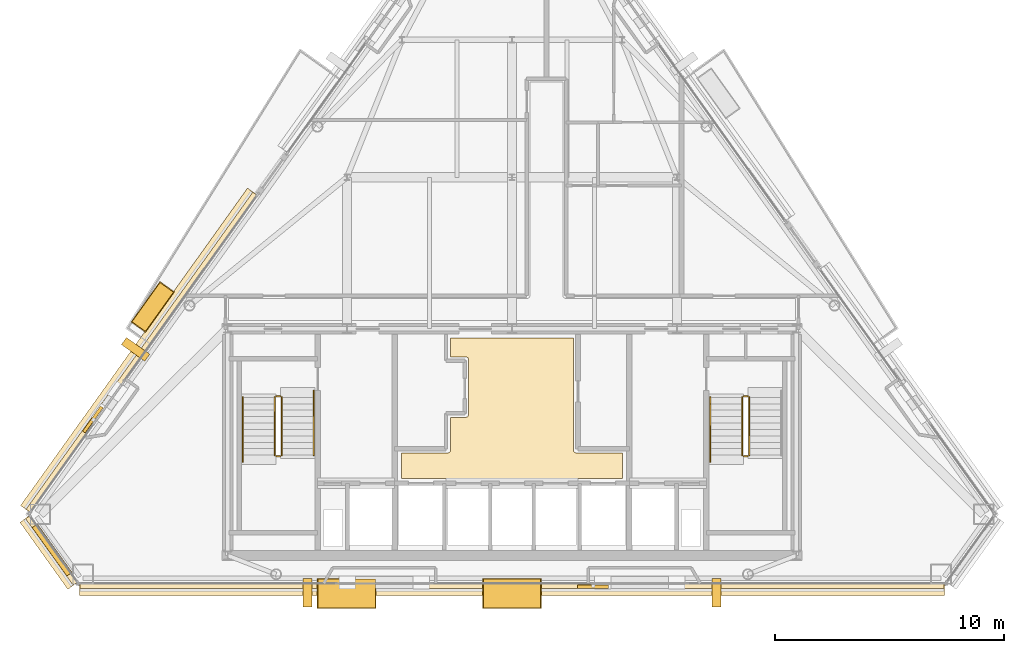
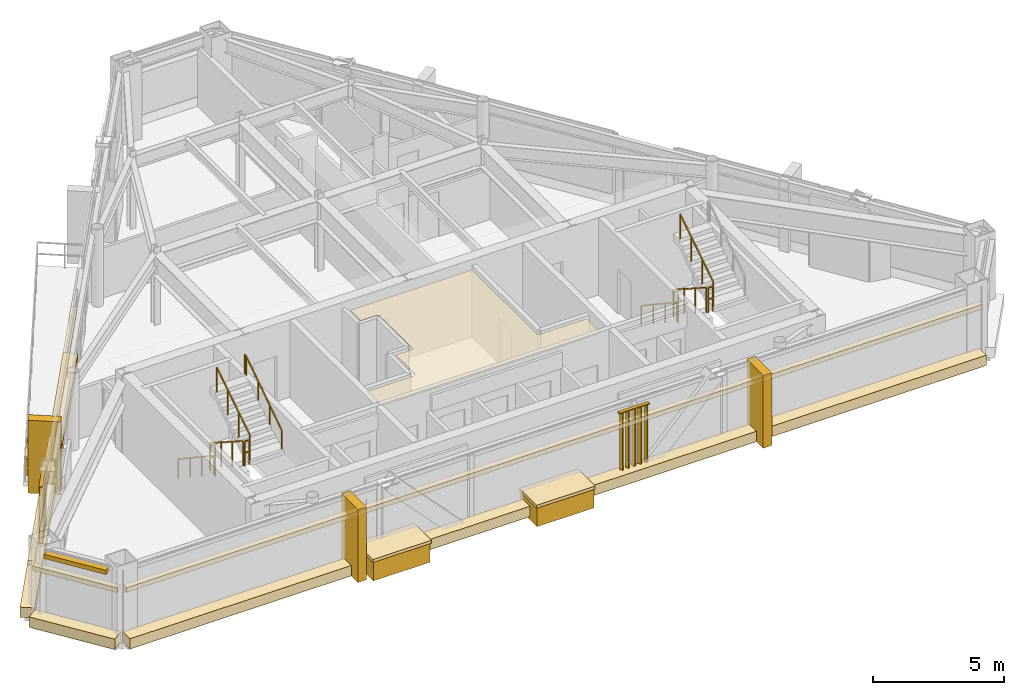
# One storey, part 11 of 12: 16 coverings, 11 railings, 3 shading devices.
"""IFC4 building model written with IfcOpenShell, lengths in metres."""

from ifc_helpers import new_model, si_unit, direction, frame, origin, origin_2d, place, context, subcontext, project, spatial, polyline, rectangle, outline, extrude, source, transform, mapped, material, layer, layer_set, type_object, type_shapes, element, save


model = new_model("IFC4")

# Units and contexts
model_context = context("Model", 3, precision=1e-05, world=origin(), true_north=direction((0.0, 1.0)))
body_context = subcontext(model_context, "Body", "Model", "MODEL_VIEW")
ifc_project = project(units=[si_unit("LENGTHUNIT", "METRE"), si_unit("AREAUNIT", "SQUARE_METRE"), si_unit("VOLUMEUNIT", "CUBIC_METRE"), si_unit("PLANEANGLEUNIT", "RADIAN"), si_unit("MASSUNIT", "GRAM", prefix="KILO")], contexts=[model_context])

# Site, building, storey
site_placement = place(None, origin())
site = spatial("IfcSite", under=ifc_project, at=site_placement, CompositionType="ELEMENT")
building_placement = place(site_placement, origin())
building = spatial("IfcBuilding", under=site, at=building_placement, Name="Talgorran Terracotta Tower", CompositionType="ELEMENT")
storey_placement = place(building_placement, frame((0.0, 0.0, 267.0)))
storey = spatial("IfcBuildingStorey", under=building, at=storey_placement, Name="L70", CompositionType="ELEMENT", Elevation=267.0)

# Coverings
ifc_material_1 = material(Name="Kiln-Fired Terracotta Ochre Ceramic", Category="masonry")
ifc_layer_1 = layer(ifc_material_1, 0.179931640625, Name="COV_BAGUETTE_TERRACOTTA_SCREEN")
ifc_layer_set_1 = layer_set([ifc_layer_1], Name="Kiln-Fired Terracotta Ochre Ceramic")
covering_type_1 = type_object("IfcCoveringType", Name="COV_BAGUETTE_TERRACOTTA_SCREEN", PredefinedType="CLADDING", material=ifc_layer_set_1)
covering_1_placement = place(storey_placement, frame((-20.07958984375, -13.869384765625, 2.41015625), z_axis=(0.0, 0.0, 1.0), x_axis=(0.58173974083, -0.813374989743, 0.0)))
element("IfcCovering", 1, at=covering_1_placement, inside=storey, type_object=covering_type_1, Name="L70 Terracotta Baguette Solar Screen Assembly F0", PredefinedType="CLADDING", context=body_context, shape_type="SweptSolid", body=[
    extrude(rectangle(XDim=3.5673828125, YDim=0.260009765625, at=origin_2d()), origin(), (0.0, 0.0, 1.0), 0.219970703125),
])
covering_2_placement = place(storey_placement, frame((0.0, -15.4189453125, 2.41015625), z_axis=(0.0, 0.0, 1.0), x_axis=(1.0, 0.0, 0.0)))
element("IfcCovering", 2, at=covering_2_placement, inside=storey, type_object=covering_type_1, Name="L70 Terracotta Baguette Solar Screen Assembly F1", PredefinedType="CLADDING", context=body_context, shape_type="SweptSolid", body=[
    extrude(rectangle(XDim=37.699951171875, YDim=0.260009765625, at=origin_2d()), origin(), (0.0, 0.0, 1.0), 0.219970703125),
])
covering_3_placement = place(storey_placement, frame((-16.148681640625, -5.241455078125, 2.41015625), z_axis=(0.0, 0.0, 1.0), x_axis=(-0.58172554467, -0.813385142893, 0.0)))
element("IfcCovering", 3, at=covering_3_placement, inside=storey, type_object=covering_type_1, Name="L70 Terracotta Baguette Solar Screen Assembly F61", PredefinedType="CLADDING", context=body_context, shape_type="SweptSolid", body=[
    extrude(rectangle(XDim=17.001708984375, YDim=0.260009765625, at=origin_2d()), origin(), (0.0, 0.0, 1.0), 0.219970703125),
])
ifc_material_2 = material(Name="Flush Moisture-Resistant Plaster")
ifc_layer_2 = layer(ifc_material_2, 0.01806640625, Name="COV_CEIL_PLASTER")
ifc_layer_set_2 = layer_set([ifc_layer_2], Name="Flush Moisture-Resistant Plaster")
covering_type_2 = type_object("IfcCoveringType", Name="COV_CEIL_PLASTER", PredefinedType="CEILING", material=ifc_layer_set_2)
covering_4_placement = place(storey_placement, frame((0.0, 0.0, 3.2548828125)))
element("IfcCovering", 4, at=covering_4_placement, inside=storey, type_object=covering_type_2, Name="CEIL-L70-1", PredefinedType="CEILING", context=body_context, shape_type="SweptSolid", body=[
    extrude(outline(polyline([(2.679931640625, -4.6201171875), (2.679931640625, -9.5), (2.6806640625, -9.51171875), (2.682373046875, -9.5234375), (2.685302734375, -9.534912109375), (2.689208984375, -9.5458984375), (2.694091796875, -9.556640625), (2.7001953125, -9.566650390625), (2.707275390625, -9.576171875), (2.715087890625, -9.5849609375), (2.723876953125, -9.5927734375), (2.7333984375, -9.599853515625), (2.743408203125, -9.605712890625), (2.754150390625, -9.61083984375), (2.76513671875, -9.61474609375), (2.776611328125, -9.61767578125), (2.7880859375, -9.619384765625), (2.800048828125, -9.6201171875), (4.830078125, -9.6201171875), (4.830078125, -10.72998046875), (-4.830078125, -10.72998046875), (-4.830078125, -9.6201171875), (-2.800048828125, -9.6201171875), (-2.7880859375, -9.619384765625), (-2.776611328125, -9.61767578125), (-2.76513671875, -9.61474609375), (-2.754150390625, -9.61083984375), (-2.743408203125, -9.605712890625), (-2.7333984375, -9.599853515625), (-2.723876953125, -9.5927734375), (-2.715087890625, -9.5849609375), (-2.707275390625, -9.576171875), (-2.7001953125, -9.566650390625), (-2.694091796875, -9.556640625), (-2.689208984375, -9.5458984375), (-2.685302734375, -9.534912109375), (-2.682373046875, -9.5234375), (-2.6806640625, -9.51171875), (-2.679931640625, -9.5), (-2.679931640625, -8.070068359375), (-2.02001953125, -8.070068359375), (-2.00830078125, -8.0693359375), (-1.99658203125, -8.067626953125), (-1.985107421875, -8.064697265625), (-1.97412109375, -8.060791015625), (-1.96337890625, -8.055908203125), (-1.953369140625, -8.0498046875), (-1.94384765625, -8.042724609375), (-1.93505859375, -8.034912109375), (-1.92724609375, -8.026123046875), (-1.920166015625, -8.0166015625), (-1.914306640625, -8.006591796875), (-1.9091796875, -7.995849609375), (-1.9052734375, -7.98486328125), (-1.90234375, -7.973388671875), (-1.900634765625, -7.9619140625), (-1.89990234375, -7.949951171875), (-1.89990234375, -5.550048828125), (-1.900634765625, -5.5380859375), (-1.90234375, -5.526611328125), (-1.9052734375, -5.51513671875), (-1.9091796875, -5.504150390625), (-1.914306640625, -5.493408203125), (-1.920166015625, -5.4833984375), (-1.92724609375, -5.473876953125), (-1.93505859375, -5.465087890625), (-1.94384765625, -5.457275390625), (-1.953369140625, -5.4501953125), (-1.96337890625, -5.444091796875), (-1.97412109375, -5.439208984375), (-1.985107421875, -5.435302734375), (-1.99658203125, -5.432373046875), (-2.00830078125, -5.4306640625), (-2.02001953125, -5.429931640625), (-2.679931640625, -5.429931640625), (-2.679931640625, -4.6201171875), (2.679931640625, -4.6201171875)])), origin(), (0.0, 0.0, 1.0), 0.02001953125),
])
ifc_material_3 = material(Name="Honed Limestone and Terracotta Planter", Category="masonry")
ifc_layer_3 = layer(ifc_material_3, 0.1201171875, Name="COV_PLANTER_BOX")
ifc_layer_set_3 = layer_set([ifc_layer_3], Name="Honed Limestone and Terracotta Planter")
covering_type_3 = type_object("IfcCoveringType", Name="COV_PLANTER_BOX", PredefinedType="CLADDING", material=ifc_layer_set_3)
for number, where, z_axis, x_axis, name in (
    (5, (-7.212890625, -15.7587890625, -0.179931640625), (0.0, 0.0, 1.0), (1.0, 0.0, 0.0), "L70 Staggered South Facade Planter Box 1"),
    (6, (0.0, -15.7587890625, -0.179931640625), (0.0, 0.0, 1.0), (1.0, 0.0, 0.0), "L70 Staggered South Facade Planter Box 2"),
):
    element("IfcCovering", number, at=place(storey_placement, frame(where, z_axis=z_axis, x_axis=x_axis)), inside=storey, type_object=covering_type_3, Name=name, PredefinedType="CLADDING", context=body_context, shape_type="SweptSolid", body=[
        extrude(rectangle(XDim=2.5, YDim=1.25, at=origin_2d()), origin(), (0.0, 0.0, 1.0), 0.919921875),
    ])
covering_5_placement = place(storey_placement, frame((-15.67578125, -3.256591796875, -0.02001953125), z_axis=(0.0, 0.0, 1.0), x_axis=(-0.58172554467, -0.813385142893, 0.0)))
element("IfcCovering", 7, at=covering_5_placement, inside=storey, type_object=covering_type_3, Name="L70 Staggered Balcony Planter Box BAL-NW", PredefinedType="CLADDING", context=body_context, shape_type="SweptSolid", body=[
    extrude(rectangle(XDim=2.10009765625, YDim=0.719970703125, at=origin_2d()), origin(), (0.0, 0.0, 1.0), 0.860107421875),
])
ifc_material_4 = material(Name="Kiln-Fired Terracotta Planter Rim", Category="masonry")
ifc_layer_4 = layer(ifc_material_4, 0.10009765625, Name="COV_PLANTER_RIM")
ifc_layer_set_4 = layer_set([ifc_layer_4], Name="Kiln-Fired Terracotta Planter Rim")
covering_type_4 = type_object("IfcCoveringType", Name="COV_PLANTER_RIM", PredefinedType="CLADDING", material=ifc_layer_set_4)
for number, where, z_axis, x_axis, name in (
    (8, (-7.212890625, -15.7587890625, 0.7099609375), (0.0, 0.0, 1.0), (1.0, 0.0, 0.0), "L70 South Planter Terracotta Rim 1"),
    (9, (0.0, -15.7587890625, 0.7099609375), (0.0, 0.0, 1.0), (1.0, 0.0, 0.0), "L70 South Planter Terracotta Rim 2"),
):
    element("IfcCovering", number, at=place(storey_placement, frame(where, z_axis=z_axis, x_axis=x_axis)), inside=storey, type_object=covering_type_4, Name=name, PredefinedType="CLADDING", context=body_context, shape_type="SweptSolid", body=[
        extrude(rectangle(XDim=2.580078125, YDim=1.320068359375, at=origin_2d()), origin(), (0.0, 0.0, 1.0), 0.139892578125),
    ])
covering_6_placement = place(storey_placement, frame((-15.67578125, -3.256591796875, 0.800048828125), z_axis=(0.0, 0.0, 1.0), x_axis=(-0.58172554467, -0.813385142893, 0.0)))
element("IfcCovering", 10, at=covering_6_placement, inside=storey, type_object=covering_type_4, Name="L70 Balcony Planter Terracotta Rim BAL-NW", PredefinedType="CLADDING", context=body_context, shape_type="SweptSolid", body=[
    extrude(rectangle(XDim=2.179931640625, YDim=0.780029296875, at=origin_2d()), origin(), (0.0, 0.0, 1.0), 0.1201171875),
])
ifc_material_5 = material(Name="Honed Limestone Cladding", Category="masonry")
ifc_layer_5 = layer(ifc_material_5, 0.094970703125, Name="COV_PORTAL_LIME")
ifc_layer_set_5 = layer_set([ifc_layer_5], Name="Honed Limestone Cladding")
covering_type_5 = type_object("IfcCoveringType", Name="COV_PORTAL_LIME", PredefinedType="CLADDING", material=ifc_layer_set_5)
covering_7_placement = place(storey_placement, frame((-20.193603515625, -13.95068359375, -0.0400390625), z_axis=(0.0, 0.0, 1.0), x_axis=(0.58173974083, -0.813374989743, 0.0)))
element("IfcCovering", 11, at=covering_7_placement, inside=storey, type_object=covering_type_5, Name="L70 Striped Postmodern Portal Cladding Band F0", PredefinedType="CLADDING", context=body_context, shape_type="SweptSolid", body=[
    extrude(rectangle(XDim=3.58740234375, YDim=0.56005859375, at=origin_2d()), origin(), (0.0, 0.0, 1.0), 0.47998046875),
])
covering_8_placement = place(storey_placement, frame((0.0, -15.558837890625, -0.0400390625), z_axis=(0.0, 0.0, 1.0), x_axis=(1.0, 0.0, 0.0)))
element("IfcCovering", 12, at=covering_8_placement, inside=storey, type_object=covering_type_5, Name="L70 Striped Postmodern Portal Cladding Band F1", PredefinedType="CLADDING", context=body_context, shape_type="SweptSolid", body=[
    extrude(rectangle(XDim=37.719970703125, YDim=0.56005859375, at=origin_2d()), origin(), (0.0, 0.0, 1.0), 0.47998046875),
])
covering_9_placement = place(storey_placement, frame((-16.2626953125, -5.159912109375, -0.0400390625), z_axis=(0.0, 0.0, 1.0), x_axis=(-0.58172554467, -0.813385142893, 0.0)))
element("IfcCovering", 13, at=covering_9_placement, inside=storey, type_object=covering_type_5, Name="L70 Striped Postmodern Portal Cladding Band F61", PredefinedType="CLADDING", context=body_context, shape_type="SweptSolid", body=[
    extrude(rectangle(XDim=17.021728515625, YDim=0.56005859375, at=origin_2d()), origin(), (0.0, 0.0, 1.0), 0.47998046875),
])
for number, where, z_axis, x_axis, name in (
    (14, (8.92138671875, -15.718994140625, -0.050048828125), (0.0, 0.0, 1.0), (1.0, 0.0, 0.0), "L70 White Striped Portal Fin F1-2"),
    (15, (-16.421875, -5.107421875, -0.050048828125), (0.0, 0.0, 1.0), (-0.58172554467, -0.813385142893, 0.0), "L70 White Striped Portal Fin F5-2"),
):
    element("IfcCovering", number, at=place(storey_placement, frame(where, z_axis=z_axis, x_axis=x_axis)), inside=storey, type_object=covering_type_5, Name=name, PredefinedType="CLADDING", context=body_context, shape_type="SweptSolid", body=[
        extrude(rectangle(XDim=0.3798828125, YDim=1.25, at=origin_2d()), origin(), (0.0, 0.0, 1.0), 3.39501953125),
    ])
ifc_material_6 = material(Name="Kiln-Fired Terracotta Cladding", Category="masonry")
ifc_layer_6 = layer(ifc_material_6, 0.090087890625, Name="COV_PORTAL_TERRA")
ifc_layer_set_6 = layer_set([ifc_layer_6], Name="Kiln-Fired Terracotta Cladding")
covering_type_6 = type_object("IfcCoveringType", Name="COV_PORTAL_TERRA", PredefinedType="CLADDING", material=ifc_layer_set_6)
covering_10_placement = place(storey_placement, frame((-8.92138671875, -15.718994140625, -0.050048828125), z_axis=(0.0, 0.0, 1.0), x_axis=(1.0, 0.0, 0.0)))
element("IfcCovering", 16, at=covering_10_placement, inside=storey, type_object=covering_type_6, Name="L70 Terracotta Striped Portal Fin F1-1", PredefinedType="CLADDING", context=body_context, shape_type="SweptSolid", body=[
    extrude(rectangle(XDim=0.3798828125, YDim=1.25, at=origin_2d()), origin(), (0.0, 0.0, 1.0), 3.39501953125),
])

# Railings
ifc_material_7 = material(Name="Steel S355 (300PLUS)", Category="steel")
railing_type_1 = type_object("IfcRailingType", Name="RL_HANDRAIL_920", PredefinedType="HANDRAIL", material=ifc_material_7)
railing_1_placement = place(storey_placement, frame((-11.75, -7.199951171875, 0.179931640625)))
element("IfcRailing", 17, at=railing_1_placement, inside=storey, type_object=railing_type_1, Name="L70 ST-01 stair handrail 1", PredefinedType="HANDRAIL", context=body_context, shape_type="SweptSolid", body=[
    extrude(rectangle(XDim=0.048095703125, YDim=0.048095703125, at=origin_2d()), frame((0.0, 0.0, 0.89599609375), z_axis=(0.0, -0.832038719335, 0.554717558338), x_axis=(1.0, 0.0, 0.0)), (0.0, 0.0, 1.0), 3.244873046875),
    extrude(rectangle(XDim=0.048095703125, YDim=0.048095703125, at=origin_2d()), frame((0.0, -2.699951171875, 2.69580078125), z_axis=(0.0, -1.0, 0.0), x_axis=(1.0, 0.0, 0.0)), (0.0, 0.0, 1.0), 0.1201171875),
    extrude(rectangle(XDim=0.0419921875, YDim=0.0419921875, at=origin_2d()), origin(), (0.0, 0.0, 1.0), 0.871826171875),
    extrude(rectangle(XDim=0.0419921875, YDim=0.0419921875, at=origin_2d()), frame((0.0, -0.89990234375, 0.60009765625)), (0.0, 0.0, 1.0), 0.871826171875),
    extrude(rectangle(XDim=0.0419921875, YDim=0.0419921875, at=origin_2d()), frame((0.0, -1.800048828125, 1.199951171875)), (0.0, 0.0, 1.0), 0.871826171875),
    extrude(rectangle(XDim=0.0419921875, YDim=0.0419921875, at=origin_2d()), frame((0.0, -2.699951171875, 1.800048828125)), (0.0, 0.0, 1.0), 0.871826171875),
    extrude(rectangle(XDim=0.0419921875, YDim=0.0419921875, at=origin_2d()), frame((0.0, -2.820068359375, 1.800048828125)), (0.0, 0.0, 1.0), 0.871826171875),
])
railing_2_placement = place(storey_placement, frame((-8.64990234375, -9.719970703125, 1.97998046875)))
element("IfcRailing", 18, at=railing_2_placement, inside=storey, type_object=railing_type_1, Name="L70 ST-01 stair handrail 2", PredefinedType="HANDRAIL", context=body_context, shape_type="SweptSolid", body=[
    extrude(rectangle(XDim=0.048095703125, YDim=0.048095703125, at=origin_2d()), frame((0.0, 0.0, 0.89599609375), z_axis=(0.0, 0.832038719335, 0.554717558338), x_axis=(-1.0, 0.0, 0.0)), (0.0, 0.0, 1.0), 3.244873046875),
    extrude(rectangle(XDim=0.048095703125, YDim=0.048095703125, at=origin_2d()), frame((0.0, 2.699951171875, 2.69580078125), z_axis=(0.0, 1.0, 0.0), x_axis=(-1.0, 0.0, 0.0)), (0.0, 0.0, 1.0), 0.1201171875),
    extrude(rectangle(XDim=0.0419921875, YDim=0.0419921875, at=origin_2d()), origin(), (0.0, 0.0, 1.0), 0.871826171875),
    extrude(rectangle(XDim=0.0419921875, YDim=0.0419921875, at=origin_2d()), frame((0.0, 0.89990234375, 0.60009765625)), (0.0, 0.0, 1.0), 0.871826171875),
    extrude(rectangle(XDim=0.0419921875, YDim=0.0419921875, at=origin_2d()), frame((0.0, 1.800048828125, 1.199951171875)), (0.0, 0.0, 1.0), 0.871826171875),
    extrude(rectangle(XDim=0.0419921875, YDim=0.0419921875, at=origin_2d()), frame((0.0, 2.699951171875, 1.800048828125)), (0.0, 0.0, 1.0), 0.871826171875),
    extrude(rectangle(XDim=0.0419921875, YDim=0.0419921875, at=origin_2d()), frame((0.0, 2.820068359375, 1.800048828125)), (0.0, 0.0, 1.0), 0.871826171875),
])
railing_3_placement = place(storey_placement, frame((8.64990234375, -7.199951171875, 0.179931640625)))
element("IfcRailing", 19, at=railing_3_placement, inside=storey, type_object=railing_type_1, Name="L70 ST-02 stair handrail 1", PredefinedType="HANDRAIL", context=body_context, shape_type="SweptSolid", body=[
    extrude(rectangle(XDim=0.048095703125, YDim=0.048095703125, at=origin_2d()), frame((0.0, 0.0, 0.89599609375), z_axis=(0.0, -0.832038719335, 0.554717558338), x_axis=(1.0, 0.0, 0.0)), (0.0, 0.0, 1.0), 3.244873046875),
    extrude(rectangle(XDim=0.048095703125, YDim=0.048095703125, at=origin_2d()), frame((0.0, -2.699951171875, 2.69580078125), z_axis=(0.0, -1.0, 0.0), x_axis=(1.0, 0.0, 0.0)), (0.0, 0.0, 1.0), 0.1201171875),
    extrude(rectangle(XDim=0.0419921875, YDim=0.0419921875, at=origin_2d()), origin(), (0.0, 0.0, 1.0), 0.871826171875),
    extrude(rectangle(XDim=0.0419921875, YDim=0.0419921875, at=origin_2d()), frame((0.0, -0.89990234375, 0.60009765625)), (0.0, 0.0, 1.0), 0.871826171875),
    extrude(rectangle(XDim=0.0419921875, YDim=0.0419921875, at=origin_2d()), frame((0.0, -1.800048828125, 1.199951171875)), (0.0, 0.0, 1.0), 0.871826171875),
    extrude(rectangle(XDim=0.0419921875, YDim=0.0419921875, at=origin_2d()), frame((0.0, -2.699951171875, 1.800048828125)), (0.0, 0.0, 1.0), 0.871826171875),
    extrude(rectangle(XDim=0.0419921875, YDim=0.0419921875, at=origin_2d()), frame((0.0, -2.820068359375, 1.800048828125)), (0.0, 0.0, 1.0), 0.871826171875),
])
railing_type_2 = type_object("IfcRailingType", Name="RL_STAIR_GUARD", PredefinedType="GUARDRAIL", material=ifc_material_7)
railing_4_placement = place(storey_placement, frame((-10.35009765625, -7.199951171875, 0.179931640625)))
element("IfcRailing", 20, at=railing_4_placement, inside=storey, type_object=railing_type_2, Name="L70 ST-01 stair guard 1", PredefinedType="GUARDRAIL", context=body_context, shape_type="SweptSolid", body=[
    extrude(rectangle(XDim=0.048095703125, YDim=0.048095703125, at=origin_2d()), frame((0.0, 0.0, 1.15576171875), z_axis=(0.0, -0.841162588446, 0.540782303519), x_axis=(1.0, 0.0, 0.0)), (0.0, 0.0, 1.0), 2.995849609375),
    extrude(rectangle(XDim=0.0419921875, YDim=0.0419921875, at=origin_2d()), origin(), (0.0, 0.0, 1.0), 1.1318359375),
    extrude(rectangle(XDim=0.0419921875, YDim=0.0419921875, at=origin_2d()), frame((0.0, -0.840087890625, 0.5400390625)), (0.0, 0.0, 1.0), 1.1318359375),
    extrude(rectangle(XDim=0.0419921875, YDim=0.0419921875, at=origin_2d()), frame((0.0, -1.679931640625, 1.080078125)), (0.0, 0.0, 1.0), 1.1318359375),
    extrude(rectangle(XDim=0.0419921875, YDim=0.0419921875, at=origin_2d()), frame((0.0, -2.52001953125, 1.6201171875)), (0.0, 0.0, 1.0), 1.1318359375),
])
railing_5_placement = place(storey_placement, frame((-10.300048828125, -9.77001953125, 1.800048828125)))
element("IfcRailing", 21, at=railing_5_placement, inside=storey, type_object=railing_type_2, Name="L70 ST-01 stair guard 2", PredefinedType="GUARDRAIL", context=body_context, shape_type="SweptSolid", body=[
    extrude(rectangle(XDim=0.048095703125, YDim=0.048095703125, at=origin_2d()), frame((0.0, 0.0, 1.15576171875), z_axis=(1.0, 0.0, 0.0), x_axis=(0.0, 1.0, 0.0)), (0.0, 0.0, 1.0), 0.199951171875),
    extrude(rectangle(XDim=0.048095703125, YDim=0.048095703125, at=origin_2d()), frame((0.0, 0.0, 0.613525390625), z_axis=(1.0, 0.0, 0.0), x_axis=(0.0, 1.0, 0.0)), (0.0, 0.0, 1.0), 0.199951171875),
    extrude(rectangle(XDim=0.0419921875, YDim=0.0419921875, at=origin_2d()), origin(), (0.0, 0.0, 1.0), 1.1318359375),
    extrude(rectangle(XDim=0.0419921875, YDim=0.0419921875, at=origin_2d()), frame((0.199951171875, 0.0, 0.0)), (0.0, 0.0, 1.0), 1.1318359375),
])
railing_6_placement = place(storey_placement, frame((-10.050048828125, -9.719970703125, 1.97998046875)))
element("IfcRailing", 22, at=railing_6_placement, inside=storey, type_object=railing_type_2, Name="L70 ST-01 stair guard 3", PredefinedType="GUARDRAIL", context=body_context, shape_type="SweptSolid", body=[
    extrude(rectangle(XDim=0.048095703125, YDim=0.048095703125, at=origin_2d()), frame((0.0, 0.0, 1.15576171875), z_axis=(0.0, 0.841162588446, 0.540782303519), x_axis=(-1.0, 0.0, 0.0)), (0.0, 0.0, 1.0), 2.995849609375),
    extrude(rectangle(XDim=0.0419921875, YDim=0.0419921875, at=origin_2d()), origin(), (0.0, 0.0, 1.0), 1.1318359375),
    extrude(rectangle(XDim=0.0419921875, YDim=0.0419921875, at=origin_2d()), frame((0.0, 0.840087890625, 0.5400390625)), (0.0, 0.0, 1.0), 1.1318359375),
    extrude(rectangle(XDim=0.0419921875, YDim=0.0419921875, at=origin_2d()), frame((0.0, 1.679931640625, 1.080078125)), (0.0, 0.0, 1.0), 1.1318359375),
    extrude(rectangle(XDim=0.0419921875, YDim=0.0419921875, at=origin_2d()), frame((0.0, 2.52001953125, 1.6201171875)), (0.0, 0.0, 1.0), 1.1318359375),
])
railing_7_placement = place(storey_placement, frame((-10.300048828125, -7.14990234375, 0.0)))
element("IfcRailing", 23, at=railing_7_placement, inside=storey, type_object=railing_type_2, Name="L70 ST-01 stair guard 4", PredefinedType="GUARDRAIL", context=body_context, shape_type="SweptSolid", body=[
    extrude(rectangle(XDim=0.048095703125, YDim=0.048095703125, at=origin_2d()), frame((0.0, 0.0, 1.15576171875), z_axis=(1.0, 0.0, 0.0), x_axis=(0.0, 1.0, 0.0)), (0.0, 0.0, 1.0), 0.199951171875),
    extrude(rectangle(XDim=0.048095703125, YDim=0.048095703125, at=origin_2d()), frame((0.0, 0.0, 0.613525390625), z_axis=(1.0, 0.0, 0.0), x_axis=(0.0, 1.0, 0.0)), (0.0, 0.0, 1.0), 0.199951171875),
    extrude(rectangle(XDim=0.0419921875, YDim=0.0419921875, at=origin_2d()), origin(), (0.0, 0.0, 1.0), 1.1318359375),
    extrude(rectangle(XDim=0.0419921875, YDim=0.0419921875, at=origin_2d()), frame((0.199951171875, 0.0, 0.0)), (0.0, 0.0, 1.0), 1.1318359375),
])
railing_8_placement = place(storey_placement, frame((10.050048828125, -7.199951171875, 0.179931640625)))
element("IfcRailing", 24, at=railing_8_placement, inside=storey, type_object=railing_type_2, Name="L70 ST-02 stair guard 1", PredefinedType="GUARDRAIL", context=body_context, shape_type="SweptSolid", body=[
    extrude(rectangle(XDim=0.048095703125, YDim=0.048095703125, at=origin_2d()), frame((0.0, 0.0, 1.15576171875), z_axis=(0.0, -0.841162588446, 0.540782303519), x_axis=(1.0, 0.0, 0.0)), (0.0, 0.0, 1.0), 2.995849609375),
    extrude(rectangle(XDim=0.0419921875, YDim=0.0419921875, at=origin_2d()), origin(), (0.0, 0.0, 1.0), 1.1318359375),
    extrude(rectangle(XDim=0.0419921875, YDim=0.0419921875, at=origin_2d()), frame((0.0, -0.840087890625, 0.5400390625)), (0.0, 0.0, 1.0), 1.1318359375),
    extrude(rectangle(XDim=0.0419921875, YDim=0.0419921875, at=origin_2d()), frame((0.0, -1.679931640625, 1.080078125)), (0.0, 0.0, 1.0), 1.1318359375),
    extrude(rectangle(XDim=0.0419921875, YDim=0.0419921875, at=origin_2d()), frame((0.0, -2.52001953125, 1.6201171875)), (0.0, 0.0, 1.0), 1.1318359375),
])
railing_9_placement = place(storey_placement, frame((10.10009765625, -9.77001953125, 1.800048828125)))
element("IfcRailing", 25, at=railing_9_placement, inside=storey, type_object=railing_type_2, Name="L70 ST-02 stair guard 2", PredefinedType="GUARDRAIL", context=body_context, shape_type="SweptSolid", body=[
    extrude(rectangle(XDim=0.048095703125, YDim=0.048095703125, at=origin_2d()), frame((0.0, 0.0, 1.15576171875), z_axis=(1.0, 0.0, 0.0), x_axis=(0.0, 1.0, 0.0)), (0.0, 0.0, 1.0), 0.199951171875),
    extrude(rectangle(XDim=0.048095703125, YDim=0.048095703125, at=origin_2d()), frame((0.0, 0.0, 0.613525390625), z_axis=(1.0, 0.0, 0.0), x_axis=(0.0, 1.0, 0.0)), (0.0, 0.0, 1.0), 0.199951171875),
    extrude(rectangle(XDim=0.0419921875, YDim=0.0419921875, at=origin_2d()), origin(), (0.0, 0.0, 1.0), 1.1318359375),
    extrude(rectangle(XDim=0.0419921875, YDim=0.0419921875, at=origin_2d()), frame((0.199951171875, 0.0, 0.0)), (0.0, 0.0, 1.0), 1.1318359375),
])
railing_10_placement = place(storey_placement, frame((10.35009765625, -9.719970703125, 1.97998046875)))
element("IfcRailing", 26, at=railing_10_placement, inside=storey, type_object=railing_type_2, Name="L70 ST-02 stair guard 3", PredefinedType="GUARDRAIL", context=body_context, shape_type="SweptSolid", body=[
    extrude(rectangle(XDim=0.048095703125, YDim=0.048095703125, at=origin_2d()), frame((0.0, 0.0, 1.15576171875), z_axis=(0.0, 0.841162588446, 0.540782303519), x_axis=(-1.0, 0.0, 0.0)), (0.0, 0.0, 1.0), 2.995849609375),
    extrude(rectangle(XDim=0.0419921875, YDim=0.0419921875, at=origin_2d()), origin(), (0.0, 0.0, 1.0), 1.1318359375),
    extrude(rectangle(XDim=0.0419921875, YDim=0.0419921875, at=origin_2d()), frame((0.0, 0.840087890625, 0.5400390625)), (0.0, 0.0, 1.0), 1.1318359375),
    extrude(rectangle(XDim=0.0419921875, YDim=0.0419921875, at=origin_2d()), frame((0.0, 1.679931640625, 1.080078125)), (0.0, 0.0, 1.0), 1.1318359375),
    extrude(rectangle(XDim=0.0419921875, YDim=0.0419921875, at=origin_2d()), frame((0.0, 2.52001953125, 1.6201171875)), (0.0, 0.0, 1.0), 1.1318359375),
])
railing_11_placement = place(storey_placement, frame((10.10009765625, -7.14990234375, 0.0)))
element("IfcRailing", 27, at=railing_11_placement, inside=storey, type_object=railing_type_2, Name="L70 ST-02 stair guard 4", PredefinedType="GUARDRAIL", context=body_context, shape_type="SweptSolid", body=[
    extrude(rectangle(XDim=0.048095703125, YDim=0.048095703125, at=origin_2d()), frame((0.0, 0.0, 1.15576171875), z_axis=(1.0, 0.0, 0.0), x_axis=(0.0, 1.0, 0.0)), (0.0, 0.0, 1.0), 0.199951171875),
    extrude(rectangle(XDim=0.048095703125, YDim=0.048095703125, at=origin_2d()), frame((0.0, 0.0, 0.613525390625), z_axis=(1.0, 0.0, 0.0), x_axis=(0.0, 1.0, 0.0)), (0.0, 0.0, 1.0), 0.199951171875),
    extrude(rectangle(XDim=0.0419921875, YDim=0.0419921875, at=origin_2d()), origin(), (0.0, 0.0, 1.0), 1.1318359375),
    extrude(rectangle(XDim=0.0419921875, YDim=0.0419921875, at=origin_2d()), frame((0.199951171875, 0.0, 0.0)), (0.0, 0.0, 1.0), 1.1318359375),
])

# Shading devices
ifc_material_8 = material(Name="Kiln-Fired Terracotta", Category="masonry")
ifc_layer_7 = layer(ifc_material_8, 0.280029296875, Name="SHD_SUNSHADE_TERRA")
ifc_layer_set_7 = layer_set([ifc_layer_7], Name="Kiln-Fired Terracotta")
shading_device_type_1 = type_object("IfcShadingDeviceType", Name="SHD_SUNSHADE_TERRA", PredefinedType="AWNING", material=ifc_layer_set_7)
shared_shape_1 = source(origin(), body_context, "Body", "SweptSolid", [
    extrude(rectangle(XDim=2.59521484375, YDim=0.280029296875, at=origin_2d()), origin(), (0.0, 0.0, 1.0), 0.199951171875),
])
type_shapes(shading_device_type_1, [shared_shape_1])
shading_device_placement = place(storey_placement, frame((-20.0634765625, -13.857666015625, 3.10498046875), z_axis=(0.0, 0.0, 1.0), x_axis=(0.58173974083, -0.813374989743, 0.0)))
element("IfcShadingDevice", 28, at=shading_device_placement, inside=storey, type_object=shading_device_type_1, Name="SHD-BROW-L70-F0", PredefinedType="AWNING", context=body_context, shape_type="MappedRepresentation", body=[
    mapped(shared_shape_1, transform((0.0, 0.0, 0.0), scale=1.0)),
])
ifc_layer_8 = layer(ifc_material_8, 0.139892578125, Name="SHD_BAGUETTE_TERRA")
ifc_layer_set_8 = layer_set([ifc_layer_8], Name="Kiln-Fired Terracotta")
shading_device_type_2 = type_object("IfcShadingDeviceType", Name="SHD_BAGUETTE_TERRA", PredefinedType="JALOUSIE", material=ifc_layer_set_8)
shared_shape_2 = source(origin(), body_context, "Body", "SweptSolid", [
    extrude(rectangle(XDim=1.35009765625, YDim=0.139892578125, at=origin_2d()), origin(), (0.0, 0.0, 1.0), 0.054931640625),
    extrude(rectangle(XDim=1.35009765625, YDim=0.139892578125, at=origin_2d()), frame((0.0, 0.0, 2.739990234375)), (0.0, 0.0, 1.0), 0.054931640625),
    extrude(rectangle(XDim=0.074951171875, YDim=0.139892578125, at=origin_2d()), frame((-0.53515625, 0.0, 0.054931640625), z_axis=(0.0, 0.0, 1.0), x_axis=(0.866025403784, 0.5, 0.0)), (0.0, 0.0, 1.0), 2.68505859375),
    extrude(rectangle(XDim=0.074951171875, YDim=0.139892578125, at=origin_2d()), frame((-0.267578125, 0.0, 0.054931640625), z_axis=(0.0, 0.0, 1.0), x_axis=(0.866025403784, 0.5, 0.0)), (0.0, 0.0, 1.0), 2.68505859375),
    extrude(rectangle(XDim=0.074951171875, YDim=0.139892578125, at=origin_2d()), frame((0.0, 0.0, 0.054931640625), z_axis=(0.0, 0.0, 1.0), x_axis=(0.866025403784, 0.5, 0.0)), (0.0, 0.0, 1.0), 2.68505859375),
    extrude(rectangle(XDim=0.074951171875, YDim=0.139892578125, at=origin_2d()), frame((0.267578125, 0.0, 0.054931640625), z_axis=(0.0, 0.0, 1.0), x_axis=(0.866025403784, 0.5, 0.0)), (0.0, 0.0, 1.0), 2.68505859375),
    extrude(rectangle(XDim=0.074951171875, YDim=0.139892578125, at=origin_2d()), frame((0.53515625, 0.0, 0.054931640625), z_axis=(0.0, 0.0, 1.0), x_axis=(0.866025403784, 0.5, 0.0)), (0.0, 0.0, 1.0), 2.68505859375),
])
type_shapes(shading_device_type_2, [shared_shape_2])
for number, where, z_axis, x_axis, name in (
    (29, (3.539306640625, -15.458984375, 0.35009765625), (0.0, 0.0, 1.0), (1.0, 0.0, 0.0), "BAG-L70-F1"),
    (30, (-18.286865234375, -8.162109375, 0.35009765625), (0.0, 0.0, 1.0), (-0.58172554467, -0.813385142893, 0.0), "BAG-L70-F61"),
):
    element("IfcShadingDevice", number, at=place(storey_placement, frame(where, z_axis=z_axis, x_axis=x_axis)), inside=storey, type_object=shading_device_type_2, Name=name, PredefinedType="JALOUSIE", context=body_context, shape_type="MappedRepresentation", body=[
        mapped(shared_shape_2, transform((0.0, 0.0, 0.0), scale=1.0)),
    ])

save(model, "model.ifc")
